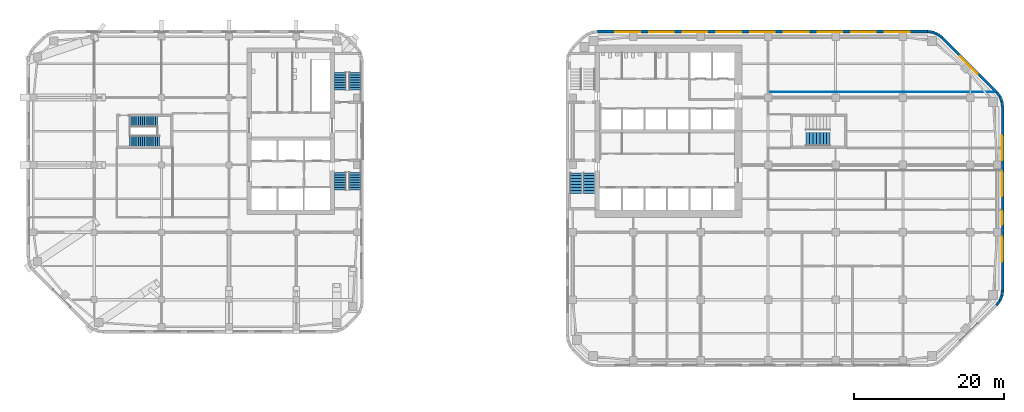
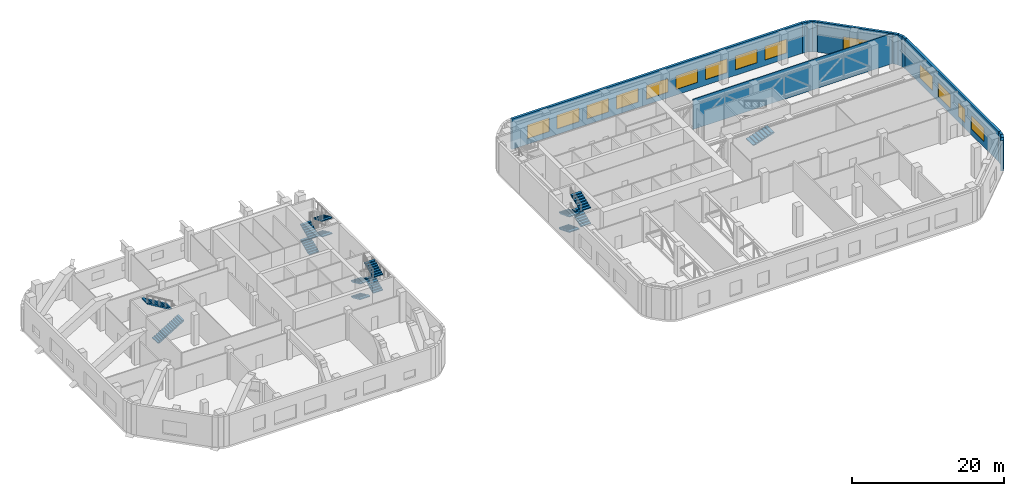
# One storey, part 18 of 23: 15 stair flights, 14 windows, 13 walls, 14 openings, 5 elements without a shape of their own.
"""IFC4 building model written with IfcOpenShell, lengths in metres."""

from ifc_helpers import new_model, si_unit, direction, frame, frame_2d, origin, place, context, subcontext, project, spatial, polyline, rectangle, outline, extrude, material, layer, layer_set, type_object, element, fill, aggregate, save


model = new_model("IFC4")

# Units and contexts
model_context = context("Model", 3, precision=1e-05, world=origin(), true_north=direction((0.0, 1.0)))
body_context = subcontext(model_context, "Body", "Model", "MODEL_VIEW")
ifc_project = project(units=[si_unit("LENGTHUNIT", "METRE"), si_unit("AREAUNIT", "SQUARE_METRE"), si_unit("VOLUMEUNIT", "CUBIC_METRE"), si_unit("PLANEANGLEUNIT", "RADIAN"), si_unit("MASSUNIT", "GRAM", prefix="KILO")], contexts=[model_context])

# Site, building, storey
site_placement = place(None, origin())
site = spatial("IfcSite", under=ifc_project, at=site_placement, CompositionType="ELEMENT")
building_placement = place(site_placement, origin())
building = spatial("IfcBuilding", under=site, at=building_placement, Name="Cinnabar Reach Civic Tower", CompositionType="ELEMENT")
storey_placement = place(building_placement, frame((0.0, 0.0, 46.0)))
storey = spatial("IfcBuildingStorey", under=building, at=storey_placement, Name="L10", CompositionType="ELEMENT", Elevation=46.0)

# Walls
ifc_material_1 = material(Name="Facing brick with insulated backing", Category="masonry")
ifc_layer_1 = layer(ifc_material_1, 0.36)
ifc_layer_set_1 = layer_set([ifc_layer_1], Name="Brick corner wall")
wall_type_1 = type_object("IfcWallType", Name="Brick corner wall", PredefinedType="STANDARD", material=ifc_layer_set_1)
wall_1_placement = place(storey_placement, frame((57.4998, 8.2587, 0.0), z_axis=(0.0, 0.0, 1.0), x_axis=(0.608802368033, 0.793321924995, 0.0)))
element("IfcWall", 1, at=wall_1_placement, inside=storey, type_object=wall_type_1, Name="Brick corner wall", PredefinedType="STANDARD", context=body_context, shape_type="SweptSolid", body=[
    extrude(rectangle(XDim=0.7132, YDim=0.36, at=frame_2d((0.3566, 0.0))), origin(), (0.0, 0.0, 1.0), 4.85),
])
for number, where, z_axis, x_axis, name in (
    (2, (57.9452, 8.8439, 0.0), (0.0, 0.0, 1.0), (0.382702709855, 0.923871547278, 0.0), "Brick corner wall"),
    (3, (58.2239, 9.5244, 0.0), (0.0, 0.0, 1.0), (0.13055608231, 0.99144092581, 0.0), "Brick corner wall"),
    (4, (58.317, 34.7686, 0.0), (0.0, 0.0, 1.0), (-0.13055608231, 0.99144092581, 0.0), "Brick corner wall"),
    (5, (58.2181, 35.4973, 0.0), (0.0, 0.0, 1.0), (-0.382702709855, 0.923871547278, 0.0), "Brick corner wall"),
):
    element("IfcWall", number, at=place(storey_placement, frame(where, z_axis=z_axis, x_axis=x_axis)), inside=storey, type_object=wall_type_1, Name=name, PredefinedType="STANDARD", context=body_context, shape_type="SweptSolid", body=[
        extrude(rectangle(XDim=0.7131, YDim=0.36, at=frame_2d((0.3565, 0.0))), origin(), (0.0, 0.0, 1.0), 4.85),
    ])
for number, where, z_axis, x_axis, name in (
    (6, (57.934, 36.1755, 0.0), (0.0, 0.0, 1.0), (-0.608802368033, 0.793321924995, 0.0), "Brick corner wall"),
    (7, (50.2413, 43.9998, 0.0), (0.0, 0.0, 1.0), (-0.793321924995, 0.608802368033, 0.0), "Brick corner wall"),
):
    element("IfcWall", number, at=place(storey_placement, frame(where, z_axis=z_axis, x_axis=x_axis)), inside=storey, type_object=wall_type_1, Name=name, PredefinedType="STANDARD", context=body_context, shape_type="SweptSolid", body=[
        extrude(rectangle(XDim=0.7132, YDim=0.36, at=frame_2d((0.3566, 0.0))), origin(), (0.0, 0.0, 1.0), 4.85),
    ])
for number, where, z_axis, x_axis, name in (
    (8, (49.6561, 44.4452, 0.0), (0.0, 0.0, 1.0), (-0.923871547278, 0.382702709855, 0.0), "Brick corner wall"),
    (9, (48.9756, 44.7239, 0.0), (0.0, 0.0, 1.0), (-0.99144092581, 0.13055608231, 0.0), "Brick corner wall"),
):
    element("IfcWall", number, at=place(storey_placement, frame(where, z_axis=z_axis, x_axis=x_axis)), inside=storey, type_object=wall_type_1, Name=name, PredefinedType="STANDARD", context=body_context, shape_type="SweptSolid", body=[
        extrude(rectangle(XDim=0.7131, YDim=0.36, at=frame_2d((0.3565, 0.0))), origin(), (0.0, 0.0, 1.0), 4.85),
    ])

# Wall, openings, windows
ifc_layer_2 = layer(ifc_material_1, 0.36)
ifc_layer_set_2 = layer_set([ifc_layer_2], Name="Brick pier and spandrel wall")
wall_type_2 = type_object("IfcWallType", Name="Brick pier and spandrel wall", PredefinedType="STANDARD", material=ifc_layer_set_2)
wall_2_placement = place(storey_placement, frame((58.32, 10.2426, 0.0), z_axis=(0.0, 0.0, 1.0), x_axis=(0.0, 1.0, 0.0)))
wall_2 = element("IfcWall", 10, at=wall_2_placement, inside=storey, type_object=wall_type_2, Name="Brick facade wall", PredefinedType="STANDARD", context=body_context, shape_type="SweptSolid", body=[
    extrude(rectangle(XDim=24.5148, YDim=0.36, at=frame_2d((12.2574, 0.0))), origin(), (0.0, 0.0, 1.0), 4.85),
])
opening_1_placement = place(wall_2_placement, frame((3.8574, 0.0, 0.9)))
opening_1 = element("IfcOpeningElement", 11, at=opening_1_placement, cuts=wall_2, Name="Opening W1142", PredefinedType="OPENING", context=body_context, shape_type="SweptSolid", body=[
    extrude(rectangle(XDim=3.3, YDim=2.2, at=frame_2d((1.65, 1.1))), frame((0.0, 0.19, 0.0), z_axis=(0.0, -1.0, 0.0), x_axis=(1.0, 0.0, 0.0)), (0.0, 0.0, 1.0), 0.38),
])
opening_2_placement = place(wall_2_placement, frame((8.7574, 0.0, 0.9)))
opening_2 = element("IfcOpeningElement", 12, at=opening_2_placement, cuts=wall_2, Name="Opening W1143", PredefinedType="OPENING", context=body_context, shape_type="SweptSolid", body=[
    extrude(rectangle(XDim=1.8, YDim=2.2, at=frame_2d((0.9, 1.1))), frame((0.0, 0.19, 0.0), z_axis=(0.0, -1.0, 0.0), x_axis=(1.0, 0.0, 0.0)), (0.0, 0.0, 1.0), 0.38),
])
opening_3_placement = place(wall_2_placement, frame((12.5574, 0.0, 0.9)))
opening_3 = element("IfcOpeningElement", 13, at=opening_3_placement, cuts=wall_2, Name="Opening W1144", PredefinedType="OPENING", context=body_context, shape_type="SweptSolid", body=[
    extrude(rectangle(XDim=3.3, YDim=2.2, at=frame_2d((1.65, 1.1))), frame((0.0, 0.19, 0.0), z_axis=(0.0, -1.0, 0.0), x_axis=(1.0, 0.0, 0.0)), (0.0, 0.0, 1.0), 0.38),
])
opening_4_placement = place(wall_2_placement, frame((17.3574, 0.0, 0.9)))
opening_4 = element("IfcOpeningElement", 14, at=opening_4_placement, cuts=wall_2, Name="Opening W1145", PredefinedType="OPENING", context=body_context, shape_type="SweptSolid", body=[
    extrude(rectangle(XDim=3.3, YDim=2.2, at=frame_2d((1.65, 1.1))), frame((0.0, 0.19, 0.0), z_axis=(0.0, -1.0, 0.0), x_axis=(1.0, 0.0, 0.0)), (0.0, 0.0, 1.0), 0.38),
])
ifc_material_2 = material(Name="Clear double glazing in aluminium frame", Category="aluminium")
window_type_1 = type_object("IfcWindowType", Name="Deep-set window B", PartitioningType="SINGLE_PANEL", PredefinedType="WINDOW", material=ifc_material_2)
window_1_placement = place(opening_1_placement, origin())
window_1 = element("IfcWindow", 15, at=window_1_placement, inside=storey, type_object=window_type_1, Name="Window east face", OverallHeight=2.2, OverallWidth=3.3, PartitioningType="SINGLE_PANEL", PredefinedType="WINDOW", context=body_context, shape_type="SweptSolid", body=[
    extrude(rectangle(XDim=3.3, YDim=2.2, at=frame_2d((1.65, 1.1))), frame((0.0, 0.13, 0.0), z_axis=(0.0, -1.0, 0.0), x_axis=(1.0, 0.0, 0.0)), (0.0, 0.0, 1.0), 0.06),
])
fill(opening_1, window_1)
window_2_placement = place(opening_3_placement, origin())
window_2 = element("IfcWindow", 16, at=window_2_placement, inside=storey, type_object=window_type_1, Name="Window east face", OverallHeight=2.2, OverallWidth=3.3, PartitioningType="SINGLE_PANEL", PredefinedType="WINDOW", context=body_context, shape_type="SweptSolid", body=[
    extrude(rectangle(XDim=3.3, YDim=2.2, at=frame_2d((1.65, 1.1))), frame((0.0, 0.13, 0.0), z_axis=(0.0, -1.0, 0.0), x_axis=(1.0, 0.0, 0.0)), (0.0, 0.0, 1.0), 0.06),
])
fill(opening_3, window_2)
window_3_placement = place(opening_4_placement, origin())
window_3 = element("IfcWindow", 17, at=window_3_placement, inside=storey, type_object=window_type_1, Name="Window east face", OverallHeight=2.2, OverallWidth=3.3, PartitioningType="SINGLE_PANEL", PredefinedType="WINDOW", context=body_context, shape_type="SweptSolid", body=[
    extrude(rectangle(XDim=3.3, YDim=2.2, at=frame_2d((1.65, 1.1))), frame((0.0, 0.13, 0.0), z_axis=(0.0, -1.0, 0.0), x_axis=(1.0, 0.0, 0.0)), (0.0, 0.0, 1.0), 0.06),
])
fill(opening_4, window_3)
window_type_2 = type_object("IfcWindowType", Name="Deep-set window E", PartitioningType="SINGLE_PANEL", PredefinedType="WINDOW", material=ifc_material_2)
window_4_placement = place(opening_2_placement, origin())
window_4 = element("IfcWindow", 18, at=window_4_placement, inside=storey, type_object=window_type_2, Name="Window east face", OverallHeight=2.2, OverallWidth=1.8, PartitioningType="SINGLE_PANEL", PredefinedType="WINDOW", context=body_context, shape_type="SweptSolid", body=[
    extrude(rectangle(XDim=1.8, YDim=2.2, at=frame_2d((0.9, 1.1))), frame((0.0, 0.13, 0.0), z_axis=(0.0, -1.0, 0.0), x_axis=(1.0, 0.0, 0.0)), (0.0, 0.0, 1.0), 0.06),
])
fill(opening_2, window_4)

# Wall, opening, window
wall_3_placement = place(storey_placement, frame((57.494, 36.7514, 0.0), z_axis=(0.0, 0.0, 1.0), x_axis=(-0.707106781187, 0.707106781187, 0.0)))
wall_3 = element("IfcWall", 19, at=wall_3_placement, inside=storey, type_object=wall_type_2, Name="Brick facade wall", PredefinedType="STANDARD", context=body_context, shape_type="SweptSolid", body=[
    extrude(rectangle(XDim=10.2426, YDim=0.36, at=frame_2d((5.1213, 0.0))), origin(), (0.0, 0.0, 1.0), 4.85),
])
opening_5_placement = place(wall_3_placement, frame((3.4713, 0.0, 0.9)))
opening_5 = element("IfcOpeningElement", 20, at=opening_5_placement, cuts=wall_3, Name="Opening W1146", PredefinedType="OPENING", context=body_context, shape_type="SweptSolid", body=[
    extrude(rectangle(XDim=3.3, YDim=2.2, at=frame_2d((1.65, 1.1))), frame((0.0, 0.19, 0.0), z_axis=(0.0, -1.0, 0.0), x_axis=(1.0, 0.0, 0.0)), (0.0, 0.0, 1.0), 0.38),
])
window_5_placement = place(opening_5_placement, origin())
window_5 = element("IfcWindow", 21, at=window_5_placement, inside=storey, type_object=window_type_1, Name="Window northeast face", OverallHeight=2.2, OverallWidth=3.3, PartitioningType="SINGLE_PANEL", PredefinedType="WINDOW", context=body_context, shape_type="SweptSolid", body=[
    extrude(rectangle(XDim=3.3, YDim=2.2, at=frame_2d((1.65, 1.1))), frame((0.0, 0.13, 0.0), z_axis=(0.0, -1.0, 0.0), x_axis=(1.0, 0.0, 0.0)), (0.0, 0.0, 1.0), 0.06),
])
fill(opening_5, window_5)

# Wall, openings, windows
wall_4_placement = place(storey_placement, frame((48.2574, 44.82, 0.0), z_axis=(0.0, 0.0, 1.0), x_axis=(-1.0, 0.0, 0.0)))
wall_4 = element("IfcWall", 22, at=wall_4_placement, inside=storey, type_object=wall_type_2, Name="Brick facade wall", PredefinedType="STANDARD", context=body_context, shape_type="SweptSolid", body=[
    extrude(rectangle(XDim=44.0148, YDim=0.36, at=frame_2d((22.0074, 0.0))), origin(), (0.0, 0.0, 1.0), 4.85),
])
opening_6_placement = place(wall_4_placement, frame((2.3574, 0.0, 0.9)))
opening_6 = element("IfcOpeningElement", 23, at=opening_6_placement, cuts=wall_4, Name="Opening W1147", PredefinedType="OPENING", context=body_context, shape_type="SweptSolid", body=[
    extrude(rectangle(XDim=3.3, YDim=2.2, at=frame_2d((1.65, 1.1))), frame((0.0, 0.19, 0.0), z_axis=(0.0, -1.0, 0.0), x_axis=(1.0, 0.0, 0.0)), (0.0, 0.0, 1.0), 0.38),
])
opening_7_placement = place(wall_4_placement, frame((6.8574, 0.0, 0.9)))
opening_7 = element("IfcOpeningElement", 24, at=opening_7_placement, cuts=wall_4, Name="Opening W1148", PredefinedType="OPENING", context=body_context, shape_type="SweptSolid", body=[
    extrude(rectangle(XDim=3.3, YDim=2.2, at=frame_2d((1.65, 1.1))), frame((0.0, 0.19, 0.0), z_axis=(0.0, -1.0, 0.0), x_axis=(1.0, 0.0, 0.0)), (0.0, 0.0, 1.0), 0.38),
])
opening_8_placement = place(wall_4_placement, frame((11.3574, 0.0, 0.9)))
opening_8 = element("IfcOpeningElement", 25, at=opening_8_placement, cuts=wall_4, Name="Opening W1149", PredefinedType="OPENING", context=body_context, shape_type="SweptSolid", body=[
    extrude(rectangle(XDim=3.3, YDim=2.2, at=frame_2d((1.65, 1.1))), frame((0.0, 0.19, 0.0), z_axis=(0.0, -1.0, 0.0), x_axis=(1.0, 0.0, 0.0)), (0.0, 0.0, 1.0), 0.38),
])
opening_9_placement = place(wall_4_placement, frame((15.8574, 0.0, 0.9)))
opening_9 = element("IfcOpeningElement", 26, at=opening_9_placement, cuts=wall_4, Name="Opening W1150", PredefinedType="OPENING", context=body_context, shape_type="SweptSolid", body=[
    extrude(rectangle(XDim=3.3, YDim=2.2, at=frame_2d((1.65, 1.1))), frame((0.0, 0.19, 0.0), z_axis=(0.0, -1.0, 0.0), x_axis=(1.0, 0.0, 0.0)), (0.0, 0.0, 1.0), 0.38),
])
opening_10_placement = place(wall_4_placement, frame((20.3574, 0.0, 0.9)))
opening_10 = element("IfcOpeningElement", 27, at=opening_10_placement, cuts=wall_4, Name="Opening W1151", PredefinedType="OPENING", context=body_context, shape_type="SweptSolid", body=[
    extrude(rectangle(XDim=3.3, YDim=2.2, at=frame_2d((1.65, 1.1))), frame((0.0, 0.19, 0.0), z_axis=(0.0, -1.0, 0.0), x_axis=(1.0, 0.0, 0.0)), (0.0, 0.0, 1.0), 0.38),
])
opening_11_placement = place(wall_4_placement, frame((24.8574, 0.0, 0.9)))
opening_11 = element("IfcOpeningElement", 28, at=opening_11_placement, cuts=wall_4, Name="Opening W1152", PredefinedType="OPENING", context=body_context, shape_type="SweptSolid", body=[
    extrude(rectangle(XDim=3.3, YDim=2.2, at=frame_2d((1.65, 1.1))), frame((0.0, 0.19, 0.0), z_axis=(0.0, -1.0, 0.0), x_axis=(1.0, 0.0, 0.0)), (0.0, 0.0, 1.0), 0.38),
])
opening_12_placement = place(wall_4_placement, frame((29.3574, 0.0, 0.9)))
opening_12 = element("IfcOpeningElement", 29, at=opening_12_placement, cuts=wall_4, Name="Opening W1153", PredefinedType="OPENING", context=body_context, shape_type="SweptSolid", body=[
    extrude(rectangle(XDim=3.3, YDim=2.2, at=frame_2d((1.65, 1.1))), frame((0.0, 0.19, 0.0), z_axis=(0.0, -1.0, 0.0), x_axis=(1.0, 0.0, 0.0)), (0.0, 0.0, 1.0), 0.38),
])
opening_13_placement = place(wall_4_placement, frame((33.8574, 0.0, 0.9)))
opening_13 = element("IfcOpeningElement", 30, at=opening_13_placement, cuts=wall_4, Name="Opening W1154", PredefinedType="OPENING", context=body_context, shape_type="SweptSolid", body=[
    extrude(rectangle(XDim=3.3, YDim=2.2, at=frame_2d((1.65, 1.1))), frame((0.0, 0.19, 0.0), z_axis=(0.0, -1.0, 0.0), x_axis=(1.0, 0.0, 0.0)), (0.0, 0.0, 1.0), 0.38),
])
opening_14_placement = place(wall_4_placement, frame((38.3574, 0.0, 0.9)))
opening_14 = element("IfcOpeningElement", 31, at=opening_14_placement, cuts=wall_4, Name="Opening W1155", PredefinedType="OPENING", context=body_context, shape_type="SweptSolid", body=[
    extrude(rectangle(XDim=3.3, YDim=2.2, at=frame_2d((1.65, 1.1))), frame((0.0, 0.19, 0.0), z_axis=(0.0, -1.0, 0.0), x_axis=(1.0, 0.0, 0.0)), (0.0, 0.0, 1.0), 0.38),
])
window_6_placement = place(opening_6_placement, origin())
window_6 = element("IfcWindow", 32, at=window_6_placement, inside=storey, type_object=window_type_1, Name="Window north face", OverallHeight=2.2, OverallWidth=3.3, PartitioningType="SINGLE_PANEL", PredefinedType="WINDOW", context=body_context, shape_type="SweptSolid", body=[
    extrude(rectangle(XDim=3.3, YDim=2.2, at=frame_2d((1.65, 1.1))), frame((0.0, 0.13, 0.0), z_axis=(0.0, -1.0, 0.0), x_axis=(1.0, 0.0, 0.0)), (0.0, 0.0, 1.0), 0.06),
])
fill(opening_6, window_6)
window_7_placement = place(opening_7_placement, origin())
window_7 = element("IfcWindow", 33, at=window_7_placement, inside=storey, type_object=window_type_1, Name="Window north face", OverallHeight=2.2, OverallWidth=3.3, PartitioningType="SINGLE_PANEL", PredefinedType="WINDOW", context=body_context, shape_type="SweptSolid", body=[
    extrude(rectangle(XDim=3.3, YDim=2.2, at=frame_2d((1.65, 1.1))), frame((0.0, 0.13, 0.0), z_axis=(0.0, -1.0, 0.0), x_axis=(1.0, 0.0, 0.0)), (0.0, 0.0, 1.0), 0.06),
])
fill(opening_7, window_7)
window_8_placement = place(opening_8_placement, origin())
window_8 = element("IfcWindow", 34, at=window_8_placement, inside=storey, type_object=window_type_1, Name="Window north face", OverallHeight=2.2, OverallWidth=3.3, PartitioningType="SINGLE_PANEL", PredefinedType="WINDOW", context=body_context, shape_type="SweptSolid", body=[
    extrude(rectangle(XDim=3.3, YDim=2.2, at=frame_2d((1.65, 1.1))), frame((0.0, 0.13, 0.0), z_axis=(0.0, -1.0, 0.0), x_axis=(1.0, 0.0, 0.0)), (0.0, 0.0, 1.0), 0.06),
])
fill(opening_8, window_8)
window_9_placement = place(opening_9_placement, origin())
window_9 = element("IfcWindow", 35, at=window_9_placement, inside=storey, type_object=window_type_1, Name="Window north face", OverallHeight=2.2, OverallWidth=3.3, PartitioningType="SINGLE_PANEL", PredefinedType="WINDOW", context=body_context, shape_type="SweptSolid", body=[
    extrude(rectangle(XDim=3.3, YDim=2.2, at=frame_2d((1.65, 1.1))), frame((0.0, 0.13, 0.0), z_axis=(0.0, -1.0, 0.0), x_axis=(1.0, 0.0, 0.0)), (0.0, 0.0, 1.0), 0.06),
])
fill(opening_9, window_9)
window_10_placement = place(opening_10_placement, origin())
window_10 = element("IfcWindow", 36, at=window_10_placement, inside=storey, type_object=window_type_1, Name="Window north face", OverallHeight=2.2, OverallWidth=3.3, PartitioningType="SINGLE_PANEL", PredefinedType="WINDOW", context=body_context, shape_type="SweptSolid", body=[
    extrude(rectangle(XDim=3.3, YDim=2.2, at=frame_2d((1.65, 1.1))), frame((0.0, 0.13, 0.0), z_axis=(0.0, -1.0, 0.0), x_axis=(1.0, 0.0, 0.0)), (0.0, 0.0, 1.0), 0.06),
])
fill(opening_10, window_10)
window_11_placement = place(opening_11_placement, origin())
window_11 = element("IfcWindow", 37, at=window_11_placement, inside=storey, type_object=window_type_1, Name="Window north face", OverallHeight=2.2, OverallWidth=3.3, PartitioningType="SINGLE_PANEL", PredefinedType="WINDOW", context=body_context, shape_type="SweptSolid", body=[
    extrude(rectangle(XDim=3.3, YDim=2.2, at=frame_2d((1.65, 1.1))), frame((0.0, 0.13, 0.0), z_axis=(0.0, -1.0, 0.0), x_axis=(1.0, 0.0, 0.0)), (0.0, 0.0, 1.0), 0.06),
])
fill(opening_11, window_11)
window_12_placement = place(opening_12_placement, origin())
window_12 = element("IfcWindow", 38, at=window_12_placement, inside=storey, type_object=window_type_1, Name="Window north face", OverallHeight=2.2, OverallWidth=3.3, PartitioningType="SINGLE_PANEL", PredefinedType="WINDOW", context=body_context, shape_type="SweptSolid", body=[
    extrude(rectangle(XDim=3.3, YDim=2.2, at=frame_2d((1.65, 1.1))), frame((0.0, 0.13, 0.0), z_axis=(0.0, -1.0, 0.0), x_axis=(1.0, 0.0, 0.0)), (0.0, 0.0, 1.0), 0.06),
])
fill(opening_12, window_12)
window_13_placement = place(opening_13_placement, origin())
window_13 = element("IfcWindow", 39, at=window_13_placement, inside=storey, type_object=window_type_1, Name="Window north face", OverallHeight=2.2, OverallWidth=3.3, PartitioningType="SINGLE_PANEL", PredefinedType="WINDOW", context=body_context, shape_type="SweptSolid", body=[
    extrude(rectangle(XDim=3.3, YDim=2.2, at=frame_2d((1.65, 1.1))), frame((0.0, 0.13, 0.0), z_axis=(0.0, -1.0, 0.0), x_axis=(1.0, 0.0, 0.0)), (0.0, 0.0, 1.0), 0.06),
])
fill(opening_13, window_13)
window_14_placement = place(opening_14_placement, origin())
window_14 = element("IfcWindow", 40, at=window_14_placement, inside=storey, type_object=window_type_1, Name="Window north face", OverallHeight=2.2, OverallWidth=3.3, PartitioningType="SINGLE_PANEL", PredefinedType="WINDOW", context=body_context, shape_type="SweptSolid", body=[
    extrude(rectangle(XDim=3.3, YDim=2.2, at=frame_2d((1.65, 1.1))), frame((0.0, 0.13, 0.0), z_axis=(0.0, -1.0, 0.0), x_axis=(1.0, 0.0, 0.0)), (0.0, 0.0, 1.0), 0.06),
])
fill(opening_14, window_14)

# Wall
ifc_material_3 = material(Name="Gypsum board on steel studs", Category="steel")
ifc_layer_3 = layer(ifc_material_3, 0.1)
ifc_layer_set_3 = layer_set([ifc_layer_3], Name="Partition wall 100 T1")
wall_type_3 = type_object("IfcWallType", Name="Partition wall 100 T1", PredefinedType="PARTITIONING", material=ifc_layer_set_3)
wall_5_placement = place(storey_placement, frame((27.075, 36.75, 0.0), z_axis=(0.0, 0.0, 1.0), x_axis=(1.0, 0.0, 0.0)))
element("IfcWall", 41, at=wall_5_placement, inside=storey, type_object=wall_type_3, Name="Partition wall 47", PredefinedType="PARTITIONING", context=body_context, shape_type="SweptSolid", body=[
    extrude(rectangle(XDim=30.2159, YDim=0.1, at=frame_2d((15.108, 0.0))), origin(), (0.0, 0.0, 1.0), 4.85),
])

# Stair, stair flights
ifc_material_4 = material(Name="Concrete C40/50", Category="concrete")
stair_type_1 = type_object("IfcStairType", Name="T1 Exit stair, double return", PredefinedType="DOUBLE_RETURN_STAIR", material=ifc_material_4)
stair_1_placement = place(storey_placement, origin())
stair_1 = element("IfcStair", 42, at=stair_1_placement, inside=storey, type_object=stair_type_1, Name="Stair T1-S1", PredefinedType="DOUBLE_RETURN_STAIR")
stair_flight_type_1 = type_object("IfcStairFlightType", Name="T1 Stair flight, concrete", PredefinedType="STRAIGHT", material=ifc_material_4)
stair_flight_1_placement = place(storey_placement, frame((1.3125, 25.95, 0.0), z_axis=(0.0, 0.0, 1.0), x_axis=(0.0, -1.0, 0.0)))
stair_flight_1 = element("IfcStairFlight", 43, at=stair_flight_1_placement, type_object=stair_flight_type_1, Name="T1-S1 flight 1", NumberOfRisers=8, NumberOfTreads=7, PredefinedType="STRAIGHT", RiserHeight=0.15625, TreadLength=0.392142857, context=body_context, shape_type="SweptSolid", body=[
    extrude(outline(polyline([(0.0, 0.0), (0.0, 0.1562), (0.3921, 0.1562), (0.3921, 0.3125), (0.7843, 0.3125), (0.7843, 0.4688), (1.1764, 0.4688), (1.1764, 0.625), (1.5686, 0.625), (1.5686, 0.7812), (1.9607, 0.7812), (1.9607, 0.9375), (2.3529, 0.9375), (2.3529, 1.0938), (2.745, 1.0938), (2.745, 1.25), (2.745, 0.9323), (0.4052, 0.0), (0.0, 0.0)])), frame((0.0, 0.7625, 0.0), z_axis=(0.0, -1.0, 0.0), x_axis=(1.0, 0.0, 0.0)), (0.0, 0.0, 1.0), 1.525),
])
stair_flight_2_placement = place(storey_placement, frame((3.0875, 23.205, 1.25), z_axis=(0.0, 0.0, 1.0), x_axis=(0.0, 1.0, 0.0)))
stair_flight_2 = element("IfcStairFlight", 44, at=stair_flight_2_placement, type_object=stair_flight_type_1, Name="T1-S1 flight 2", NumberOfRisers=8, NumberOfTreads=7, PredefinedType="STRAIGHT", RiserHeight=0.15625, TreadLength=0.392142857, context=body_context, shape_type="SweptSolid", body=[
    extrude(outline(polyline([(0.0, 0.0), (0.0, 0.1562), (0.3921, 0.1562), (0.3921, 0.3125), (0.7843, 0.3125), (0.7843, 0.4688), (1.1764, 0.4688), (1.1764, 0.625), (1.5686, 0.625), (1.5686, 0.7812), (1.9607, 0.7812), (1.9607, 0.9375), (2.3529, 0.9375), (2.3529, 1.0938), (2.745, 1.0938), (2.745, 1.25), (2.745, 0.9323), (0.4052, 0.0), (0.0, 0.0)])), frame((0.0, 0.7625, 0.0), z_axis=(0.0, -1.0, 0.0), x_axis=(1.0, 0.0, 0.0)), (0.0, 0.0, 1.0), 1.525),
])
stair_flight_3_placement = place(storey_placement, frame((1.3125, 25.95, 2.5), z_axis=(0.0, 0.0, 1.0), x_axis=(0.0, -1.0, 0.0)))
stair_flight_3 = element("IfcStairFlight", 45, at=stair_flight_3_placement, type_object=stair_flight_type_1, Name="T1-S1 flight 3", NumberOfRisers=8, NumberOfTreads=7, PredefinedType="STRAIGHT", RiserHeight=0.15625, TreadLength=0.392142857, context=body_context, shape_type="SweptSolid", body=[
    extrude(outline(polyline([(0.0, 0.0), (0.0, 0.1562), (0.3921, 0.1562), (0.3921, 0.3125), (0.7843, 0.3125), (0.7843, 0.4688), (1.1764, 0.4688), (1.1764, 0.625), (1.5686, 0.625), (1.5686, 0.7812), (1.9607, 0.7812), (1.9607, 0.9375), (2.3529, 0.9375), (2.3529, 1.0938), (2.745, 1.0938), (2.745, 1.25), (2.745, 0.9323), (0.4052, 0.0), (0.0, 0.0)])), frame((0.0, 0.7625, 0.0), z_axis=(0.0, -1.0, 0.0), x_axis=(1.0, 0.0, 0.0)), (0.0, 0.0, 1.0), 1.525),
])
stair_flight_4_placement = place(storey_placement, frame((3.0875, 23.205, 3.75), z_axis=(0.0, 0.0, 1.0), x_axis=(0.0, 1.0, 0.0)))
stair_flight_4 = element("IfcStairFlight", 46, at=stair_flight_4_placement, type_object=stair_flight_type_1, Name="T1-S1 flight 4", NumberOfRisers=8, NumberOfTreads=7, PredefinedType="STRAIGHT", RiserHeight=0.15625, TreadLength=0.392142857, context=body_context, shape_type="SweptSolid", body=[
    extrude(outline(polyline([(0.0, 0.0), (0.0, 0.1562), (0.3921, 0.1562), (0.3921, 0.3125), (0.7843, 0.3125), (0.7843, 0.4688), (1.1764, 0.4688), (1.1764, 0.625), (1.5686, 0.625), (1.5686, 0.7812), (1.9607, 0.7812), (1.9607, 0.9375), (2.3529, 0.9375), (2.3529, 1.0938), (2.745, 1.0938), (2.745, 1.25), (2.745, 0.9323), (0.4052, 0.0), (0.0, 0.0)])), frame((0.0, 0.7625, 0.0), z_axis=(0.0, -1.0, 0.0), x_axis=(1.0, 0.0, 0.0)), (0.0, 0.0, 1.0), 1.525),
])
aggregate(stair_1, [stair_flight_1, stair_flight_2, stair_flight_3, stair_flight_4])

# Stair, stair flight
stair_2_placement = place(storey_placement, origin())
stair_2 = element("IfcStair", 47, at=stair_2_placement, inside=storey, type_object=stair_type_1, Name="Stair T1-S3", PredefinedType="DOUBLE_RETURN_STAIR")
stair_flight_5_placement = place(storey_placement, frame((32.05, 30.45, 0.0), z_axis=(0.0, 0.0, 1.0), x_axis=(1.0, 0.0, 0.0)))
stair_flight_5 = element("IfcStairFlight", 48, at=stair_flight_5_placement, type_object=stair_flight_type_1, Name="T1-S3 flight 1", NumberOfRisers=8, NumberOfTreads=7, PredefinedType="STRAIGHT", RiserHeight=0.15625, TreadLength=0.462857143, context=body_context, shape_type="SweptSolid", body=[
    extrude(outline(polyline([(0.0, 0.0), (0.0, 0.1562), (0.4629, 0.1562), (0.4629, 0.3125), (0.9257, 0.3125), (0.9257, 0.4688), (1.3886, 0.4688), (1.3886, 0.625), (1.8514, 0.625), (1.8514, 0.7812), (2.3143, 0.7812), (2.3143, 0.9375), (2.7771, 0.9375), (2.7771, 1.0938), (3.24, 1.0938), (3.24, 1.25), (3.24, 0.9354), (0.469, 0.0), (0.0, 0.0)])), frame((0.0, 0.9, 0.0), z_axis=(0.0, -1.0, 0.0), x_axis=(1.0, 0.0, 0.0)), (0.0, 0.0, 1.0), 1.8),
])
aggregate(stair_2, [stair_flight_5])

# Stair, stair flights
ifc_material_5 = material(Name="Concrete C40", Category="concrete")
stair_type_2 = type_object("IfcStairType", Name="T2 Exit stair 1500", PredefinedType="HALF_TURN_STAIR", material=ifc_material_5)
stair_3_placement = place(storey_placement, origin())
stair_3 = element("IfcStair", 49, at=stair_3_placement, inside=storey, type_object=stair_type_2, Name="Exit stair 1", PredefinedType="HALF_TURN_STAIR")
stair_flight_type_2 = type_object("IfcStairFlightType", Name="T2 Stair flight 1500", PredefinedType="STRAIGHT", material=ifc_material_5)
stair_flight_6_placement = place(storey_placement, frame((-30.15, 26.0, 0.0), z_axis=(0.0, 0.0, 1.0), x_axis=(0.0, -1.0, 0.0)))
stair_flight_6 = element("IfcStairFlight", 50, at=stair_flight_6_placement, type_object=stair_flight_type_2, Name="ST1 flight 1", NumberOfRisers=8, NumberOfTreads=7, PredefinedType="STRAIGHT", RiserHeight=0.15625, TreadLength=0.3375, context=body_context, shape_type="SweptSolid", body=[
    extrude(outline(polyline([(0.0, 0.0), (0.0, 0.1562), (0.3375, 0.1562), (0.3375, 0.3125), (0.675, 0.3125), (0.675, 0.4688), (1.0125, 0.4688), (1.0125, 0.625), (1.35, 0.625), (1.35, 0.7812), (1.6875, 0.7812), (1.6875, 0.9375), (2.025, 0.9375), (2.025, 1.0938), (2.3625, 1.0938), (2.3625, 1.25), (2.3625, 0.9285), (0.357, 0.0), (0.0, 0.0)])), frame((0.0, 0.75, 0.0), z_axis=(0.0, -1.0, 0.0), x_axis=(1.0, 0.0, 0.0)), (0.0, 0.0, 1.0), 1.5),
])
stair_flight_7_placement = place(storey_placement, frame((-28.15, 23.6375, 1.25), z_axis=(0.0, 0.0, 1.0), x_axis=(0.0, 1.0, 0.0)))
stair_flight_7 = element("IfcStairFlight", 51, at=stair_flight_7_placement, type_object=stair_flight_type_2, Name="ST1 flight 2", NumberOfRisers=8, NumberOfTreads=7, PredefinedType="STRAIGHT", RiserHeight=0.15625, TreadLength=0.3375, context=body_context, shape_type="SweptSolid", body=[
    extrude(outline(polyline([(0.0, 0.0), (0.0, 0.1562), (0.3375, 0.1562), (0.3375, 0.3125), (0.675, 0.3125), (0.675, 0.4688), (1.0125, 0.4688), (1.0125, 0.625), (1.35, 0.625), (1.35, 0.7812), (1.6875, 0.7812), (1.6875, 0.9375), (2.025, 0.9375), (2.025, 1.0938), (2.3625, 1.0938), (2.3625, 1.25), (2.3625, 0.9285), (0.357, 0.0), (0.0, 0.0)])), frame((0.0, 0.75, 0.0), z_axis=(0.0, -1.0, 0.0), x_axis=(1.0, 0.0, 0.0)), (0.0, 0.0, 1.0), 1.5),
])
stair_flight_8_placement = place(storey_placement, frame((-30.15, 26.0, 2.5), z_axis=(0.0, 0.0, 1.0), x_axis=(0.0, -1.0, 0.0)))
stair_flight_8 = element("IfcStairFlight", 52, at=stair_flight_8_placement, type_object=stair_flight_type_2, Name="ST1 flight 3", NumberOfRisers=8, NumberOfTreads=7, PredefinedType="STRAIGHT", RiserHeight=0.15625, TreadLength=0.3375, context=body_context, shape_type="SweptSolid", body=[
    extrude(outline(polyline([(0.0, 0.0), (0.0, 0.1562), (0.3375, 0.1562), (0.3375, 0.3125), (0.675, 0.3125), (0.675, 0.4688), (1.0125, 0.4688), (1.0125, 0.625), (1.35, 0.625), (1.35, 0.7812), (1.6875, 0.7812), (1.6875, 0.9375), (2.025, 0.9375), (2.025, 1.0938), (2.3625, 1.0938), (2.3625, 1.25), (2.3625, 0.9285), (0.357, 0.0), (0.0, 0.0)])), frame((0.0, 0.75, 0.0), z_axis=(0.0, -1.0, 0.0), x_axis=(1.0, 0.0, 0.0)), (0.0, 0.0, 1.0), 1.5),
])
stair_flight_9_placement = place(storey_placement, frame((-28.15, 23.6375, 3.75), z_axis=(0.0, 0.0, 1.0), x_axis=(0.0, 1.0, 0.0)))
stair_flight_9 = element("IfcStairFlight", 53, at=stair_flight_9_placement, type_object=stair_flight_type_2, Name="ST1 flight 4", NumberOfRisers=8, NumberOfTreads=7, PredefinedType="STRAIGHT", RiserHeight=0.15625, TreadLength=0.3375, context=body_context, shape_type="SweptSolid", body=[
    extrude(outline(polyline([(0.0, 0.0), (0.0, 0.1562), (0.3375, 0.1562), (0.3375, 0.3125), (0.675, 0.3125), (0.675, 0.4688), (1.0125, 0.4688), (1.0125, 0.625), (1.35, 0.625), (1.35, 0.7812), (1.6875, 0.7812), (1.6875, 0.9375), (2.025, 0.9375), (2.025, 1.0938), (2.3625, 1.0938), (2.3625, 1.25), (2.3625, 0.9285), (0.357, 0.0), (0.0, 0.0)])), frame((0.0, 0.75, 0.0), z_axis=(0.0, -1.0, 0.0), x_axis=(1.0, 0.0, 0.0)), (0.0, 0.0, 1.0), 1.5),
])
aggregate(stair_3, [stair_flight_6, stair_flight_7, stair_flight_8, stair_flight_9])

stair_4_placement = place(storey_placement, origin())
stair_4 = element("IfcStair", 54, at=stair_4_placement, inside=storey, type_object=stair_type_2, Name="Exit stair 2", PredefinedType="HALF_TURN_STAIR")
stair_flight_10_placement = place(storey_placement, frame((-30.15, 37.0, 0.0), z_axis=(0.0, 0.0, 1.0), x_axis=(0.0, 1.0, 0.0)))
stair_flight_10 = element("IfcStairFlight", 55, at=stair_flight_10_placement, type_object=stair_flight_type_2, Name="ST2 flight 1", NumberOfRisers=8, NumberOfTreads=7, PredefinedType="STRAIGHT", RiserHeight=0.15625, TreadLength=0.3375, context=body_context, shape_type="SweptSolid", body=[
    extrude(outline(polyline([(0.0, 0.0), (0.0, 0.1562), (0.3375, 0.1562), (0.3375, 0.3125), (0.675, 0.3125), (0.675, 0.4688), (1.0125, 0.4688), (1.0125, 0.625), (1.35, 0.625), (1.35, 0.7812), (1.6875, 0.7812), (1.6875, 0.9375), (2.025, 0.9375), (2.025, 1.0938), (2.3625, 1.0938), (2.3625, 1.25), (2.3625, 0.9285), (0.357, 0.0), (0.0, 0.0)])), frame((0.0, 0.75, 0.0), z_axis=(0.0, -1.0, 0.0), x_axis=(1.0, 0.0, 0.0)), (0.0, 0.0, 1.0), 1.5),
])
stair_flight_11_placement = place(storey_placement, frame((-28.15, 39.3625, 1.25), z_axis=(0.0, 0.0, 1.0), x_axis=(0.0, -1.0, 0.0)))
stair_flight_11 = element("IfcStairFlight", 56, at=stair_flight_11_placement, type_object=stair_flight_type_2, Name="ST2 flight 2", NumberOfRisers=8, NumberOfTreads=7, PredefinedType="STRAIGHT", RiserHeight=0.15625, TreadLength=0.3375, context=body_context, shape_type="SweptSolid", body=[
    extrude(outline(polyline([(0.0, 0.0), (0.0, 0.1562), (0.3375, 0.1562), (0.3375, 0.3125), (0.675, 0.3125), (0.675, 0.4688), (1.0125, 0.4688), (1.0125, 0.625), (1.35, 0.625), (1.35, 0.7812), (1.6875, 0.7812), (1.6875, 0.9375), (2.025, 0.9375), (2.025, 1.0938), (2.3625, 1.0938), (2.3625, 1.25), (2.3625, 0.9285), (0.357, 0.0), (0.0, 0.0)])), frame((0.0, 0.75, 0.0), z_axis=(0.0, -1.0, 0.0), x_axis=(1.0, 0.0, 0.0)), (0.0, 0.0, 1.0), 1.5),
])
stair_flight_12_placement = place(storey_placement, frame((-30.15, 37.0, 2.5), z_axis=(0.0, 0.0, 1.0), x_axis=(0.0, 1.0, 0.0)))
stair_flight_12 = element("IfcStairFlight", 57, at=stair_flight_12_placement, type_object=stair_flight_type_2, Name="ST2 flight 3", NumberOfRisers=8, NumberOfTreads=7, PredefinedType="STRAIGHT", RiserHeight=0.15625, TreadLength=0.3375, context=body_context, shape_type="SweptSolid", body=[
    extrude(outline(polyline([(0.0, 0.0), (0.0, 0.1562), (0.3375, 0.1562), (0.3375, 0.3125), (0.675, 0.3125), (0.675, 0.4688), (1.0125, 0.4688), (1.0125, 0.625), (1.35, 0.625), (1.35, 0.7812), (1.6875, 0.7812), (1.6875, 0.9375), (2.025, 0.9375), (2.025, 1.0938), (2.3625, 1.0938), (2.3625, 1.25), (2.3625, 0.9285), (0.357, 0.0), (0.0, 0.0)])), frame((0.0, 0.75, 0.0), z_axis=(0.0, -1.0, 0.0), x_axis=(1.0, 0.0, 0.0)), (0.0, 0.0, 1.0), 1.5),
])
stair_flight_13_placement = place(storey_placement, frame((-28.15, 39.3625, 3.75), z_axis=(0.0, 0.0, 1.0), x_axis=(0.0, -1.0, 0.0)))
stair_flight_13 = element("IfcStairFlight", 58, at=stair_flight_13_placement, type_object=stair_flight_type_2, Name="ST2 flight 4", NumberOfRisers=8, NumberOfTreads=7, PredefinedType="STRAIGHT", RiserHeight=0.15625, TreadLength=0.3375, context=body_context, shape_type="SweptSolid", body=[
    extrude(outline(polyline([(0.0, 0.0), (0.0, 0.1562), (0.3375, 0.1562), (0.3375, 0.3125), (0.675, 0.3125), (0.675, 0.4688), (1.0125, 0.4688), (1.0125, 0.625), (1.35, 0.625), (1.35, 0.7812), (1.6875, 0.7812), (1.6875, 0.9375), (2.025, 0.9375), (2.025, 1.0938), (2.3625, 1.0938), (2.3625, 1.25), (2.3625, 0.9285), (0.357, 0.0), (0.0, 0.0)])), frame((0.0, 0.75, 0.0), z_axis=(0.0, -1.0, 0.0), x_axis=(1.0, 0.0, 0.0)), (0.0, 0.0, 1.0), 1.5),
])
aggregate(stair_4, [stair_flight_10, stair_flight_11, stair_flight_12, stair_flight_13])

stair_5_placement = place(storey_placement, origin())
stair_5 = element("IfcStair", 59, at=stair_5_placement, inside=storey, type_object=stair_type_2, Name="Exit stair 3", PredefinedType="HALF_TURN_STAIR")
stair_flight_14_placement = place(storey_placement, frame((-58.25, 30.125, 0.0), z_axis=(0.0, 0.0, 1.0), x_axis=(1.0, 0.0, 0.0)))
stair_flight_14 = element("IfcStairFlight", 60, at=stair_flight_14_placement, type_object=stair_flight_type_2, Name="ST3 flight 1", NumberOfRisers=15, NumberOfTreads=14, PredefinedType="STRAIGHT", RiserHeight=0.172413793, TreadLength=0.285714286, context=body_context, shape_type="SweptSolid", body=[
    extrude(outline(polyline([(0.0, 0.0), (0.0, 0.1724), (0.2857, 0.1724), (0.2857, 0.3448), (0.5714, 0.3448), (0.5714, 0.5172), (0.8571, 0.5172), (0.8571, 0.6897), (1.1429, 0.6897), (1.1429, 0.8621), (1.4286, 0.8621), (1.4286, 1.0345), (1.7143, 1.0345), (1.7143, 1.2069), (2.0, 1.2069), (2.0, 1.3793), (2.2857, 1.3793), (2.2857, 1.5517), (2.5714, 1.5517), (2.5714, 1.7241), (2.8571, 1.7241), (2.8571, 1.8966), (3.1429, 1.8966), (3.1429, 2.069), (3.4286, 2.069), (3.4286, 2.2414), (3.7143, 2.2414), (3.7143, 2.4138), (4.0, 2.4138), (4.0, 2.5862), (4.0, 2.2386), (0.2903, 0.0), (0.0, 0.0)])), frame((0.0, 0.75, 0.0), z_axis=(0.0, -1.0, 0.0), x_axis=(1.0, 0.0, 0.0)), (0.0, 0.0, 1.0), 1.5),
])
stair_flight_15_placement = place(storey_placement, frame((-54.5357, 32.875, 2.5862), z_axis=(0.0, 0.0, 1.0), x_axis=(-1.0, 0.0, 0.0)))
stair_flight_15 = element("IfcStairFlight", 61, at=stair_flight_15_placement, type_object=stair_flight_type_2, Name="ST3 flight 2", NumberOfRisers=14, NumberOfTreads=13, PredefinedType="STRAIGHT", RiserHeight=0.172413793, TreadLength=0.285714286, context=body_context, shape_type="SweptSolid", body=[
    extrude(outline(polyline([(0.0, 0.0), (0.0, 0.1724), (0.2857, 0.1724), (0.2857, 0.3448), (0.5714, 0.3448), (0.5714, 0.5172), (0.8571, 0.5172), (0.8571, 0.6897), (1.1429, 0.6897), (1.1429, 0.8621), (1.4286, 0.8621), (1.4286, 1.0345), (1.7143, 1.0345), (1.7143, 1.2069), (2.0, 1.2069), (2.0, 1.3793), (2.2857, 1.3793), (2.2857, 1.5517), (2.5714, 1.5517), (2.5714, 1.7241), (2.8571, 1.7241), (2.8571, 1.8966), (3.1429, 1.8966), (3.1429, 2.069), (3.4286, 2.069), (3.4286, 2.2414), (3.7143, 2.2414), (3.7143, 2.4138), (3.7143, 2.0662), (0.2903, 0.0), (0.0, 0.0)])), frame((0.0, 0.75, 0.0), z_axis=(0.0, -1.0, 0.0), x_axis=(1.0, 0.0, 0.0)), (0.0, 0.0, 1.0), 1.5),
])
aggregate(stair_5, [stair_flight_14, stair_flight_15])

save(model, "model.ifc")
